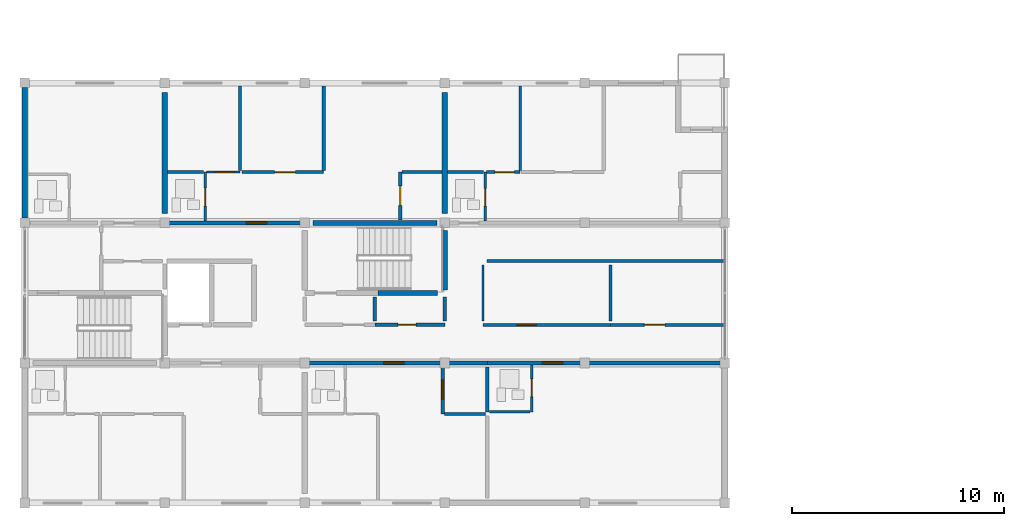
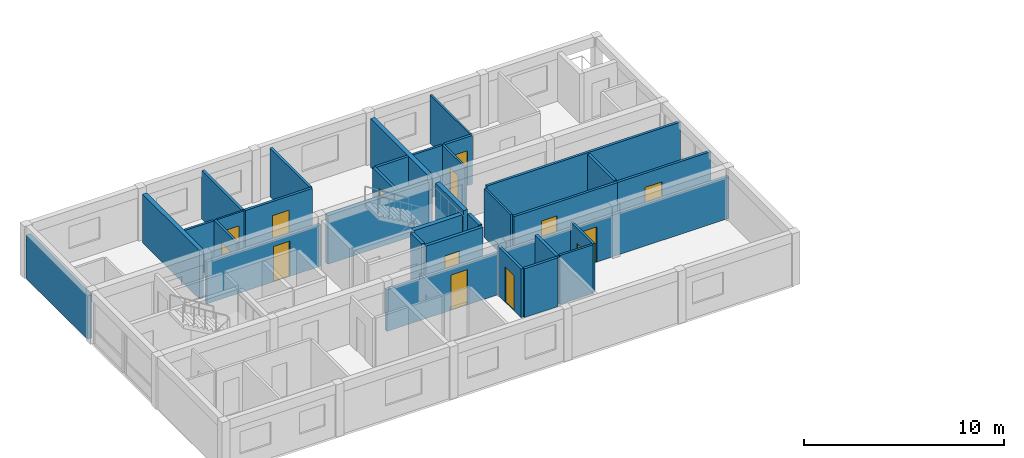
# One storey, part 22 of 34: 34 walls, 14 doors, 14 openings.
"""IFC4 building model written with IfcOpenShell, lengths in metres."""

from ifc_helpers import new_model, si_unit, direction, frame, frame_2d, origin, place, context, subcontext, project, spatial, rectangle, extrude, material, layer, layer_set, type_object, element, fill, save


model = new_model("IFC4")

# Units and contexts
model_context = context("Model", 3, precision=1e-05, world=origin(), true_north=direction((0.0, 1.0)))
body_context = subcontext(model_context, "Body", "Model", "MODEL_VIEW")
ifc_project = project(units=[si_unit("LENGTHUNIT", "METRE"), si_unit("AREAUNIT", "SQUARE_METRE"), si_unit("VOLUMEUNIT", "CUBIC_METRE"), si_unit("PLANEANGLEUNIT", "RADIAN"), si_unit("MASSUNIT", "GRAM", prefix="KILO")], contexts=[model_context])

# Site, building, storey
site_placement = place(None, origin())
site = spatial("IfcSite", under=ifc_project, at=site_placement, CompositionType="ELEMENT")
building_placement = place(site_placement, origin())
building = spatial("IfcBuilding", under=site, at=building_placement, Name="Kernevlak Ridge Housing Community", CompositionType="ELEMENT")
storey_placement = place(building_placement, frame((0.0, 0.0, 40.39990234375)))
storey = spatial("IfcBuildingStorey", under=building, at=storey_placement, Name="L12", CompositionType="ELEMENT", Elevation=40.39990234375)

# Wall
ifc_material_1 = material(Name="Concrete block masonry M10", Category="masonry")
ifc_layer_1 = layer(ifc_material_1, 0.260009765625, Name="Concrete block masonry M10")
ifc_layer_set_1 = layer_set([ifc_layer_1], Name="Concrete block masonry M10")
wall_type_1 = type_object("IfcWallType", Name="EW-05", PredefinedType="STANDARD", material=ifc_layer_set_1)
wall_1_placement = place(storey_placement, frame((15.60009765625, 89.425048828125, 0.0), z_axis=(0.0, 0.0, 1.0), x_axis=(0.0, 1.0, 0.0)))
element("IfcWall", 1, at=wall_1_placement, inside=storey, type_object=wall_type_1, Name="Exterior wall EW-05 L12 202", PredefinedType="STANDARD", context=body_context, shape_type="SweptSolid", body=[
    extrude(rectangle(XDim=6.14990234375, YDim=0.260009765625, at=frame_2d((3.074951171875, 0.0))), origin(), (0.0, 0.0, 1.0), 2.650146484375),
])

# Wall, opening, door
ifc_layer_2 = layer(ifc_material_1, 0.175048828125, Name="Concrete block masonry M10")
ifc_layer_set_2 = layer_set([ifc_layer_2], Name="Concrete block masonry M10")
wall_type_2 = type_object("IfcWallType", Name="PW-02", PredefinedType="PARTITIONING", material=ifc_layer_set_2)
wall_2_placement = place(storey_placement, frame((32.10009765625, 84.39990234375, 0.0), z_axis=(0.0, 0.0, 1.0), x_axis=(1.0, 0.0, 0.0)))
wall_2 = element("IfcWall", 2, at=wall_2_placement, inside=storey, type_object=wall_type_2, Name="Interior wall PW-02 WAL-INT-L12-0768", PredefinedType="PARTITIONING", context=body_context, shape_type="SweptSolid", body=[
    extrude(rectangle(XDim=3.2998046875, YDim=0.175048828125, at=frame_2d((1.64990234375, 0.0))), origin(), (0.0, 0.0, 1.0), 2.97998046875),
])
opening_1_placement = place(wall_2_placement, frame((1.10009765625, 0.0, 0.0)))
opening_1 = element("IfcOpeningElement", 3, at=opening_1_placement, cuts=wall_2, Name="Opening D388", PredefinedType="OPENING", context=body_context, shape_type="SweptSolid", body=[
    extrude(rectangle(XDim=0.85009765625, YDim=2.0, at=frame_2d((0.425048828125, 1.0))), frame((0.0, 0.097412109375, 0.0), z_axis=(0.0, -1.0, 0.0), x_axis=(1.0, 0.0, 0.0)), (0.0, 0.0, 1.0), 0.195068359375),
])
ifc_material_2 = material(Name="Fire-rated sheet steel leaf", Category="steel")
door_type_1 = type_object("IfcDoorType", Name="DT-07", OperationType="NOTDEFINED", PredefinedType="DOOR", material=ifc_material_2)
door_1_placement = place(opening_1_placement, origin())
door_1 = element("IfcDoor", 4, at=door_1_placement, inside=storey, type_object=door_type_1, Name="Block A Cleaner store door D388", OperationType="SINGLE_SWING_RIGHT", OverallHeight=2.0, OverallWidth=0.85009765625, PredefinedType="DOOR", context=body_context, shape_type="SweptSolid", body=[
    extrude(rectangle(XDim=0.85009765625, YDim=2.0, at=frame_2d((0.425048828125, 1.0))), frame((0.0, 0.02490234375, 0.0), z_axis=(0.0, -1.0, 0.0), x_axis=(1.0, 0.0, 0.0)), (0.0, 0.0, 1.0), 0.050048828125),
])
fill(opening_1, door_1)

# Walls
for number, where, z_axis, x_axis, name in (
    (5, (32.10009765625, 84.580078125, 0.0), (0.0, 0.0, 1.0), (0.0, 1.0, 0.0), "Interior wall PW-02 WAL-INT-L12-0770"),
    (6, (35.39990234375, 84.580078125, 0.0), (0.0, 0.0, 1.0), (0.0, 1.0, 0.0), "Interior wall PW-02 WAL-INT-L12-0771"),
):
    element("IfcWall", number, at=place(storey_placement, frame(where, z_axis=z_axis, x_axis=x_axis)), inside=storey, type_object=wall_type_2, Name=name, PredefinedType="PARTITIONING", context=body_context, shape_type="SweptSolid", body=[
        extrude(rectangle(XDim=1.139892578125, YDim=0.175048828125, at=frame_2d((0.56982421875, 0.0))), origin(), (0.0, 0.0, 1.0), 2.97998046875),
    ])

# Wall, opening, door
wall_3_placement = place(storey_placement, frame((28.800048828125, 82.60009765625, 0.0), z_axis=(0.0, 0.0, 1.0), x_axis=(1.0, 0.0, 0.0)))
wall_3 = element("IfcWall", 7, at=wall_3_placement, inside=storey, type_object=wall_type_2, Name="Interior wall PW-02 WAL-INT-L12-0786", PredefinedType="PARTITIONING", context=body_context, shape_type="SweptSolid", body=[
    extrude(rectangle(XDim=8.599853515625, YDim=0.175048828125, at=frame_2d((4.2998046875, 0.0))), origin(), (0.0, 0.0, 1.0), 2.550048828125),
])
opening_2_placement = place(wall_3_placement, frame((3.72509765625, 0.0, 0.0)))
opening_2 = element("IfcOpeningElement", 8, at=opening_2_placement, cuts=wall_3, Name="Opening D396", PredefinedType="OPENING", context=body_context, shape_type="SweptSolid", body=[
    extrude(rectangle(XDim=0.949951171875, YDim=2.159912109375, at=frame_2d((0.47509765625, 1.080078125))), frame((0.0, 0.097412109375, 0.0), z_axis=(0.0, -1.0, 0.0), x_axis=(1.0, 0.0, 0.0)), (0.0, 0.0, 1.0), 0.195068359375),
])
ifc_material_3 = material(Name="Hardwood timber solid-core fire leaf", Category="wood")
door_type_2 = type_object("IfcDoorType", Name="DT-02", OperationType="NOTDEFINED", PredefinedType="DOOR", material=ifc_material_3)
door_2_placement = place(opening_2_placement, origin())
door_2 = element("IfcDoor", 9, at=door_2_placement, inside=storey, type_object=door_type_2, Name="Flat A1212 entrance fire door D396", OperationType="SINGLE_SWING_RIGHT", OverallHeight=2.159912109375, OverallWidth=0.949951171875, PredefinedType="DOOR", context=body_context, shape_type="SweptSolid", body=[
    extrude(rectangle(XDim=0.949951171875, YDim=2.159912109375, at=frame_2d((0.47509765625, 1.080078125))), frame((0.0, 0.02490234375, 0.0), z_axis=(0.0, -1.0, 0.0), x_axis=(1.0, 0.0, 0.0)), (0.0, 0.0, 1.0), 0.050048828125),
])
fill(opening_2, door_2)

# Wall
wall_4_placement = place(storey_placement, frame((37.39990234375, 82.419921875, 0.0), z_axis=(0.0, 0.0, 1.0), x_axis=(0.0, -1.0, 0.0)))
element("IfcWall", 10, at=wall_4_placement, inside=storey, type_object=wall_type_2, Name="Interior wall PW-02 WAL-INT-L12-0793", PredefinedType="PARTITIONING", context=body_context, shape_type="SweptSolid", body=[
    extrude(rectangle(XDim=2.13232421875, YDim=0.175048828125, at=frame_2d((1.066162109375, 0.0))), origin(), (0.0, 0.0, 1.0), 2.97998046875),
])

# Wall, opening, door
wall_5_placement = place(storey_placement, frame((37.39990234375, 82.60009765625, 0.0), z_axis=(0.0, 0.0, 1.0), x_axis=(1.0, 0.0, 0.0)))
wall_5 = element("IfcWall", 11, at=wall_5_placement, inside=storey, type_object=wall_type_2, Name="Interior wall PW-02 WAL-INT-L12-0794", PredefinedType="PARTITIONING", context=body_context, shape_type="SweptSolid", body=[
    extrude(rectangle(XDim=11.2001953125, YDim=0.175048828125, at=frame_2d((5.60009765625, 0.0))), origin(), (0.0, 0.0, 1.0), 2.550048828125),
])
opening_3_placement = place(wall_5_placement, frame((2.60009765625, 0.0, 0.0)))
opening_3 = element("IfcOpeningElement", 12, at=opening_3_placement, cuts=wall_5, Name="Opening D400", PredefinedType="OPENING", context=body_context, shape_type="SweptSolid", body=[
    extrude(rectangle(XDim=0.949951171875, YDim=2.159912109375, at=frame_2d((0.47509765625, 1.080078125))), frame((0.0, 0.097412109375, 0.0), z_axis=(0.0, -1.0, 0.0), x_axis=(1.0, 0.0, 0.0)), (0.0, 0.0, 1.0), 0.195068359375),
])
door_3_placement = place(opening_3_placement, origin())
door_3 = element("IfcDoor", 13, at=door_3_placement, inside=storey, type_object=door_type_2, Name="Flat A1213 entrance fire door D400", OperationType="SINGLE_SWING_RIGHT", OverallHeight=2.159912109375, OverallWidth=0.949951171875, PredefinedType="DOOR", context=body_context, shape_type="SweptSolid", body=[
    extrude(rectangle(XDim=0.949951171875, YDim=2.159912109375, at=frame_2d((0.47509765625, 1.080078125))), frame((0.0, 0.02490234375, 0.0), z_axis=(0.0, -1.0, 0.0), x_axis=(1.0, 0.0, 0.0)), (0.0, 0.0, 1.0), 0.050048828125),
])
fill(opening_3, door_3)

wall_6_placement = place(storey_placement, frame((22.199951171875, 89.199951171875, 0.0), z_axis=(0.0, 0.0, 1.0), x_axis=(1.0, 0.0, 0.0)))
wall_6 = element("IfcWall", 14, at=wall_6_placement, inside=storey, type_object=wall_type_2, Name="Interior wall PW-02 WAL-INT-L12-0801", PredefinedType="PARTITIONING", context=body_context, shape_type="SweptSolid", body=[
    extrude(rectangle(XDim=6.60009765625, YDim=0.175048828125, at=frame_2d((3.300048828125, 0.0))), origin(), (0.0, 0.0, 1.0), 2.550048828125),
])
opening_4_placement = place(wall_6_placement, frame((3.85009765625, 0.0, 0.0)))
opening_4 = element("IfcOpeningElement", 15, at=opening_4_placement, cuts=wall_6, Name="Opening D404", PredefinedType="OPENING", context=body_context, shape_type="SweptSolid", body=[
    extrude(rectangle(XDim=0.949951171875, YDim=2.159912109375, at=frame_2d((0.47509765625, 1.080078125))), frame((0.0, 0.097412109375, 0.0), z_axis=(0.0, -1.0, 0.0), x_axis=(1.0, 0.0, 0.0)), (0.0, 0.0, 1.0), 0.195068359375),
])
door_4_placement = place(opening_4_placement, origin())
door_4 = element("IfcDoor", 16, at=door_4_placement, inside=storey, type_object=door_type_2, Name="Flat A1222 entrance fire door D404", OperationType="SINGLE_SWING_RIGHT", OverallHeight=2.159912109375, OverallWidth=0.949951171875, PredefinedType="DOOR", context=body_context, shape_type="SweptSolid", body=[
    extrude(rectangle(XDim=0.949951171875, YDim=2.159912109375, at=frame_2d((0.47509765625, 1.080078125))), frame((0.0, 0.02490234375, 0.0), z_axis=(0.0, -1.0, 0.0), x_axis=(1.0, 0.0, 0.0)), (0.0, 0.0, 1.0), 0.050048828125),
])
fill(opening_4, door_4)

ifc_layer_3 = layer(ifc_material_1, 0.14501953125, Name="Concrete block masonry M10")
ifc_layer_set_3 = layer_set([ifc_layer_3], Name="Concrete block masonry M10")
wall_type_3 = type_object("IfcWallType", Name="PW-03", PredefinedType="PARTITIONING", material=ifc_layer_set_3)
wall_7_placement = place(storey_placement, frame((37.199951171875, 84.39990234375, 0.0), z_axis=(0.0, 0.0, 1.0), x_axis=(1.0, 0.0, 0.0)))
wall_7 = element("IfcWall", 17, at=wall_7_placement, inside=storey, type_object=wall_type_3, Name="Interior wall PW-03 WAL-INT-L12-0772", PredefinedType="PARTITIONING", context=body_context, shape_type="SweptSolid", body=[
    extrude(rectangle(XDim=6.0, YDim=0.14501953125, at=frame_2d((3.0, 0.0))), origin(), (0.0, 0.0, 1.0), 2.97998046875),
])
opening_5_placement = place(wall_7_placement, frame((1.60009765625, 0.0, 0.0)))
opening_5 = element("IfcOpeningElement", 18, at=opening_5_placement, cuts=wall_7, Name="Opening D389", PredefinedType="OPENING", context=body_context, shape_type="SweptSolid", body=[
    extrude(rectangle(XDim=0.89990234375, YDim=2.159912109375, at=frame_2d((0.449951171875, 1.080078125))), frame((0.0, 0.08251953125, 0.0), z_axis=(0.0, -1.0, 0.0), x_axis=(1.0, 0.0, 0.0)), (0.0, 0.0, 1.0), 0.1650390625),
])
ifc_material_4 = material(Name="Hardwood timber leaf", Category="wood")
door_type_3 = type_object("IfcDoorType", Name="DT-22", OperationType="NOTDEFINED", PredefinedType="DOOR", material=ifc_material_4)
door_5_placement = place(opening_5_placement, origin())
door_5 = element("IfcDoor", 19, at=door_5_placement, inside=storey, type_object=door_type_3, Name="Block A Laundry room door D389", OperationType="SINGLE_SWING_LEFT", OverallHeight=2.159912109375, OverallWidth=0.89990234375, PredefinedType="DOOR", context=body_context, shape_type="SweptSolid", body=[
    extrude(rectangle(XDim=0.89990234375, YDim=2.159912109375, at=frame_2d((0.449951171875, 1.080078125))), frame((0.0, 0.02490234375, 0.0), z_axis=(0.0, -1.0, 0.0), x_axis=(1.0, 0.0, 0.0)), (0.0, 0.0, 1.0), 0.050048828125),
])
fill(opening_5, door_5)

wall_8_placement = place(storey_placement, frame((43.199951171875, 84.39990234375, 0.0), z_axis=(0.0, 0.0, 1.0), x_axis=(1.0, 0.0, 0.0)))
wall_8 = element("IfcWall", 20, at=wall_8_placement, inside=storey, type_object=wall_type_3, Name="Interior wall PW-03 WAL-INT-L12-0773", PredefinedType="PARTITIONING", context=body_context, shape_type="SweptSolid", body=[
    extrude(rectangle(XDim=5.400146484375, YDim=0.14501953125, at=frame_2d((2.7001953125, 0.0))), origin(), (0.0, 0.0, 1.0), 2.97998046875),
])
opening_6_placement = place(wall_8_placement, frame((1.60009765625, 0.0, 0.0)))
opening_6 = element("IfcOpeningElement", 21, at=opening_6_placement, cuts=wall_8, Name="Opening D390", PredefinedType="OPENING", context=body_context, shape_type="SweptSolid", body=[
    extrude(rectangle(XDim=0.97998046875, YDim=2.1201171875, at=frame_2d((0.489990234375, 1.06005859375))), frame((0.0, 0.08251953125, 0.0), z_axis=(0.0, -1.0, 0.0), x_axis=(1.0, 0.0, 0.0)), (0.0, 0.0, 1.0), 0.1650390625),
])
door_type_4 = type_object("IfcDoorType", Name="DT-24", OperationType="NOTDEFINED", PredefinedType="DOOR", material=ifc_material_4)
door_6_placement = place(opening_6_placement, origin())
door_6 = element("IfcDoor", 22, at=door_6_placement, inside=storey, type_object=door_type_4, Name="Block A Study room door D390", OperationType="SINGLE_SWING_RIGHT", OverallHeight=2.1201171875, OverallWidth=0.97998046875, PredefinedType="DOOR", context=body_context, shape_type="SweptSolid", body=[
    extrude(rectangle(XDim=0.97998046875, YDim=2.1201171875, at=frame_2d((0.489990234375, 1.06005859375))), frame((0.0, 0.02490234375, 0.0), z_axis=(0.0, -1.0, 0.0), x_axis=(1.0, 0.0, 0.0)), (0.0, 0.0, 1.0), 0.050048828125),
])
fill(opening_6, door_6)

# Walls
wall_9_placement = place(storey_placement, frame((43.199951171875, 84.580078125, 0.0), z_axis=(0.0, 0.0, 1.0), x_axis=(0.0, 1.0, 0.0)))
element("IfcWall", 23, at=wall_9_placement, inside=storey, type_object=wall_type_3, Name="Interior wall PW-03 WAL-INT-L12-0774", PredefinedType="PARTITIONING", context=body_context, shape_type="SweptSolid", body=[
    extrude(rectangle(XDim=2.639892578125, YDim=0.14501953125, at=frame_2d((1.31982421875, 0.0))), origin(), (0.0, 0.0, 1.0), 2.97998046875),
])
wall_10_placement = place(storey_placement, frame((37.3798828125, 87.39990234375, 0.0), z_axis=(0.0, 0.0, 1.0), x_axis=(1.0, 0.0, 0.0)))
element("IfcWall", 24, at=wall_10_placement, inside=storey, type_object=wall_type_3, Name="Interior wall PW-03 WAL-INT-L12-0775", PredefinedType="PARTITIONING", context=body_context, shape_type="SweptSolid", body=[
    extrude(rectangle(XDim=11.2001953125, YDim=0.14501953125, at=frame_2d((5.60009765625, 0.0))), origin(), (0.0, 0.0, 1.0), 2.97998046875),
])
wall_11_placement = place(storey_placement, frame((25.75, 91.679931640625, 0.0), z_axis=(0.0, 0.0, 1.0), x_axis=(0.0, 1.0, 0.0)))
element("IfcWall", 25, at=wall_11_placement, inside=storey, type_object=wall_type_3, Name="Interior wall PW-03 WAL-INT-L12-0807", PredefinedType="PARTITIONING", context=body_context, shape_type="SweptSolid", body=[
    extrude(rectangle(XDim=3.97998046875, YDim=0.14501953125, at=frame_2d((1.989990234375, 0.0))), origin(), (0.0, 0.0, 1.0), 2.97998046875),
])

# Wall, opening, door
wall_12_placement = place(storey_placement, frame((25.83251953125, 91.60009765625, 0.0), z_axis=(0.0, 0.0, 1.0), x_axis=(1.0, 0.0, 0.0)))
wall_12 = element("IfcWall", 26, at=wall_12_placement, inside=storey, type_object=wall_type_3, Name="Interior wall PW-03 WAL-INT-L12-0808", PredefinedType="PARTITIONING", context=body_context, shape_type="SweptSolid", body=[
    extrude(rectangle(XDim=3.859375, YDim=0.14501953125, at=frame_2d((1.9296875, 0.0))), origin(), (0.0, 0.0, 1.0), 2.97998046875),
])
opening_7_placement = place(wall_12_placement, frame((1.5458984375, 0.0, 0.0)))
opening_7 = element("IfcOpeningElement", 27, at=opening_7_placement, cuts=wall_12, Name="Opening D408", PredefinedType="OPENING", context=body_context, shape_type="SweptSolid", body=[
    extrude(rectangle(XDim=0.97998046875, YDim=2.1201171875, at=frame_2d((0.489990234375, 1.06005859375))), frame((0.0, 0.08251953125, 0.0), z_axis=(0.0, -1.0, 0.0), x_axis=(1.0, 0.0, 0.0)), (0.0, 0.0, 1.0), 0.1650390625),
])
door_7_placement = place(opening_7_placement, origin())
door_7 = element("IfcDoor", 28, at=door_7_placement, inside=storey, type_object=door_type_4, Name="Flat A1222 bedroom door D408", OperationType="SINGLE_SWING_RIGHT", OverallHeight=2.1201171875, OverallWidth=0.97998046875, PredefinedType="DOOR", context=body_context, shape_type="SweptSolid", body=[
    extrude(rectangle(XDim=0.97998046875, YDim=2.1201171875, at=frame_2d((0.489990234375, 1.06005859375))), frame((0.0, 0.02490234375, 0.0), z_axis=(0.0, -1.0, 0.0), x_axis=(1.0, 0.0, 0.0)), (0.0, 0.0, 1.0), 0.050048828125),
])
fill(opening_7, door_7)

# Wall
wall_13_placement = place(storey_placement, frame((29.69189453125, 91.6826171875, 0.0), z_axis=(0.0, 0.0, 1.0), x_axis=(0.0, 1.0, 0.0)))
element("IfcWall", 29, at=wall_13_placement, inside=storey, type_object=wall_type_3, Name="Interior wall PW-03 WAL-INT-L12-0809", PredefinedType="PARTITIONING", context=body_context, shape_type="SweptSolid", body=[
    extrude(rectangle(XDim=3.977294921875, YDim=0.14501953125, at=frame_2d((1.98876953125, 0.0))), origin(), (0.0, 0.0, 1.0), 2.97998046875),
])

# Wall, opening, door
wall_14_placement = place(storey_placement, frame((37.37255859375, 91.60009765625, 0.0), z_axis=(0.0, 0.0, 1.0), x_axis=(1.0, 0.0, 0.0)))
wall_14 = element("IfcWall", 30, at=wall_14_placement, inside=storey, type_object=wall_type_3, Name="Interior wall PW-03 WAL-INT-L12-0815", PredefinedType="PARTITIONING", context=body_context, shape_type="SweptSolid", body=[
    extrude(rectangle(XDim=1.577392578125, YDim=0.14501953125, at=frame_2d((0.78857421875, 0.0))), origin(), (0.0, 0.0, 1.0), 2.97998046875),
])
opening_8_placement = place(wall_14_placement, frame((0.39990234375, 0.0, 0.0)))
opening_8 = element("IfcOpeningElement", 31, at=opening_8_placement, cuts=wall_14, Name="Opening D412", PredefinedType="OPENING", context=body_context, shape_type="SweptSolid", body=[
    extrude(rectangle(XDim=0.909912109375, YDim=2.139892578125, at=frame_2d((0.455078125, 1.06982421875))), frame((0.0, 0.08251953125, 0.0), z_axis=(0.0, -1.0, 0.0), x_axis=(1.0, 0.0, 0.0)), (0.0, 0.0, 1.0), 0.1650390625),
])
door_type_5 = type_object("IfcDoorType", Name="DT-31", OperationType="NOTDEFINED", PredefinedType="DOOR", material=ifc_material_4)
door_8_placement = place(opening_8_placement, origin())
door_8 = element("IfcDoor", 32, at=door_8_placement, inside=storey, type_object=door_type_5, Name="Flat A1223 bedroom door D412", OperationType="SINGLE_SWING_RIGHT", OverallHeight=2.139892578125, OverallWidth=0.909912109375, PredefinedType="DOOR", context=body_context, shape_type="SweptSolid", body=[
    extrude(rectangle(XDim=0.909912109375, YDim=2.139892578125, at=frame_2d((0.455078125, 1.06982421875))), frame((0.0, 0.02490234375, 0.0), z_axis=(0.0, -1.0, 0.0), x_axis=(1.0, 0.0, 0.0)), (0.0, 0.0, 1.0), 0.050048828125),
])
fill(opening_8, door_8)

ifc_material_5 = material(Name="Gypsum plasterboard EN 520", Category="gypsum")
ifc_layer_4 = layer(ifc_material_5, 0.125, Name="Gypsum plasterboard EN 520")
ifc_layer_set_4 = layer_set([ifc_layer_4], Name="Gypsum plasterboard EN 520")
wall_type_4 = type_object("IfcWallType", Name="PW-04", PredefinedType="PARTITIONING", material=ifc_layer_set_4)
wall_15_placement = place(storey_placement, frame((39.5, 82.50244140625, 0.0), z_axis=(0.0, 0.0, 1.0), x_axis=(0.0, -1.0, 0.0)))
wall_15 = element("IfcWall", 33, at=wall_15_placement, inside=storey, type_object=wall_type_4, Name="Interior wall PW-04 WAL-INT-L12-0795", PredefinedType="PARTITIONING", context=body_context, shape_type="SweptSolid", body=[
    extrude(rectangle(XDim=2.202392578125, YDim=0.125, at=frame_2d((1.10107421875, 0.0))), origin(), (0.0, 0.0, 1.0), 2.97998046875),
])
opening_9_placement = place(wall_15_placement, frame((0.64990234375, 0.0, 0.0)))
opening_9 = element("IfcOpeningElement", 34, at=opening_9_placement, cuts=wall_15, Name="Opening D401", PredefinedType="OPENING", context=body_context, shape_type="SweptSolid", body=[
    extrude(rectangle(XDim=0.840087890625, YDim=2.06005859375, at=frame_2d((0.419921875, 1.030029296875))), frame((0.0, 0.072509765625, 0.0), z_axis=(0.0, -1.0, 0.0), x_axis=(1.0, 0.0, 0.0)), (0.0, 0.0, 1.0), 0.14501953125),
])
ifc_material_6 = material(Name="Hardwood timber moisture-resistant leaf", Category="wood")
door_type_6 = type_object("IfcDoorType", Name="DT-27", OperationType="NOTDEFINED", PredefinedType="DOOR", material=ifc_material_6)
door_9_placement = place(opening_9_placement, origin())
door_9 = element("IfcDoor", 35, at=door_9_placement, inside=storey, type_object=door_type_6, Name="Flat A1213 bathroom door D401", OperationType="SINGLE_SWING_LEFT", OverallHeight=2.06005859375, OverallWidth=0.840087890625, PredefinedType="DOOR", context=body_context, shape_type="SweptSolid", body=[
    extrude(rectangle(XDim=0.840087890625, YDim=2.06005859375, at=frame_2d((0.419921875, 1.030029296875))), frame((0.0, 0.02490234375, 0.0), z_axis=(0.0, -1.0, 0.0), x_axis=(1.0, 0.0, 0.0)), (0.0, 0.0, 1.0), 0.050048828125),
])
fill(opening_9, door_9)

# Wall
wall_16_placement = place(storey_placement, frame((37.49755859375, 80.300048828125, 0.0), z_axis=(0.0, 0.0, 1.0), x_axis=(1.0, 0.0, 0.0)))
element("IfcWall", 36, at=wall_16_placement, inside=storey, type_object=wall_type_4, Name="Interior wall PW-04 WAL-INT-L12-0796", PredefinedType="PARTITIONING", context=body_context, shape_type="SweptSolid", body=[
    extrude(rectangle(XDim=1.92236328125, YDim=0.125, at=frame_2d((0.961181640625, 0.0))), origin(), (0.0, 0.0, 1.0), 2.97998046875),
])

# Wall, opening, door
wall_17_placement = place(storey_placement, frame((24.10009765625, 89.297607421875, 0.0), z_axis=(0.0, 0.0, 1.0), x_axis=(0.0, 1.0, 0.0)))
wall_17 = element("IfcWall", 37, at=wall_17_placement, inside=storey, type_object=wall_type_4, Name="Interior wall PW-04 WAL-INT-L12-0802", PredefinedType="PARTITIONING", context=body_context, shape_type="SweptSolid", body=[
    extrude(rectangle(XDim=2.302490234375, YDim=0.125, at=frame_2d((1.1513671875, 0.0))), origin(), (0.0, 0.0, 1.0), 2.97998046875),
])
opening_10_placement = place(wall_17_placement, frame((0.699951171875, 0.0, 0.0)))
opening_10 = element("IfcOpeningElement", 38, at=opening_10_placement, cuts=wall_17, Name="Opening D405", PredefinedType="OPENING", context=body_context, shape_type="SweptSolid", body=[
    extrude(rectangle(XDim=0.840087890625, YDim=2.06005859375, at=frame_2d((0.419921875, 1.030029296875))), frame((0.0, 0.072509765625, 0.0), z_axis=(0.0, -1.0, 0.0), x_axis=(1.0, 0.0, 0.0)), (0.0, 0.0, 1.0), 0.14501953125),
])
door_10_placement = place(opening_10_placement, origin())
door_10 = element("IfcDoor", 39, at=door_10_placement, inside=storey, type_object=door_type_6, Name="Flat A1222 bathroom door D405", OperationType="SINGLE_SWING_LEFT", OverallHeight=2.06005859375, OverallWidth=0.840087890625, PredefinedType="DOOR", context=body_context, shape_type="SweptSolid", body=[
    extrude(rectangle(XDim=0.840087890625, YDim=2.06005859375, at=frame_2d((0.419921875, 1.030029296875))), frame((0.0, 0.02490234375, 0.0), z_axis=(0.0, -1.0, 0.0), x_axis=(1.0, 0.0, 0.0)), (0.0, 0.0, 1.0), 0.050048828125),
])
fill(opening_10, door_10)

# Wall
wall_18_placement = place(storey_placement, frame((22.3349609375, 91.60009765625, 0.0), z_axis=(0.0, 0.0, 1.0), x_axis=(1.0, 0.0, 0.0)))
element("IfcWall", 40, at=wall_18_placement, inside=storey, type_object=wall_type_4, Name="Interior wall PW-04 WAL-INT-L12-0803", PredefinedType="PARTITIONING", context=body_context, shape_type="SweptSolid", body=[
    extrude(rectangle(XDim=1.68505859375, YDim=0.125, at=frame_2d((0.842529296875, 0.0))), origin(), (0.0, 0.0, 1.0), 2.97998046875),
])

# Wall, opening, door
wall_19_placement = place(storey_placement, frame((37.300048828125, 89.297607421875, 0.0), z_axis=(0.0, 0.0, 1.0), x_axis=(0.0, 1.0, 0.0)))
wall_19 = element("IfcWall", 41, at=wall_19_placement, inside=storey, type_object=wall_type_4, Name="Interior wall PW-04 WAL-INT-L12-0811", PredefinedType="PARTITIONING", context=body_context, shape_type="SweptSolid", body=[
    extrude(rectangle(XDim=2.302490234375, YDim=0.125, at=frame_2d((1.1513671875, 0.0))), origin(), (0.0, 0.0, 1.0), 2.97998046875),
])
opening_11_placement = place(wall_19_placement, frame((0.699951171875, 0.0, 0.0)))
opening_11 = element("IfcOpeningElement", 42, at=opening_11_placement, cuts=wall_19, Name="Opening D410", PredefinedType="OPENING", context=body_context, shape_type="SweptSolid", body=[
    extrude(rectangle(XDim=0.820068359375, YDim=2.050048828125, at=frame_2d((0.41015625, 1.02490234375))), frame((0.0, 0.072509765625, 0.0), z_axis=(0.0, -1.0, 0.0), x_axis=(1.0, 0.0, 0.0)), (0.0, 0.0, 1.0), 0.14501953125),
])
door_type_7 = type_object("IfcDoorType", Name="DT-30", OperationType="NOTDEFINED", PredefinedType="DOOR", material=ifc_material_6)
door_11_placement = place(opening_11_placement, origin())
door_11 = element("IfcDoor", 43, at=door_11_placement, inside=storey, type_object=door_type_7, Name="Flat A1223 bathroom door D410", OperationType="SINGLE_SWING_RIGHT", OverallHeight=2.050048828125, OverallWidth=0.820068359375, PredefinedType="DOOR", context=body_context, shape_type="SweptSolid", body=[
    extrude(rectangle(XDim=0.820068359375, YDim=2.050048828125, at=frame_2d((0.41015625, 1.02490234375))), frame((0.0, 0.02490234375, 0.0), z_axis=(0.0, -1.0, 0.0), x_axis=(1.0, 0.0, 0.0)), (0.0, 0.0, 1.0), 0.050048828125),
])
fill(opening_11, door_11)

# Wall
wall_20_placement = place(storey_placement, frame((35.534912109375, 91.60009765625, 0.0), z_axis=(0.0, 0.0, 1.0), x_axis=(1.0, 0.0, 0.0)))
element("IfcWall", 44, at=wall_20_placement, inside=storey, type_object=wall_type_4, Name="Interior wall PW-04 WAL-INT-L12-0812", PredefinedType="PARTITIONING", context=body_context, shape_type="SweptSolid", body=[
    extrude(rectangle(XDim=1.68505859375, YDim=0.125, at=frame_2d((0.842529296875, 0.0))), origin(), (0.0, 0.0, 1.0), 2.97998046875),
])

# Wall, opening, door
ifc_layer_5 = layer(ifc_material_5, 0.155029296875, Name="Gypsum plasterboard EN 520")
ifc_layer_set_5 = layer_set([ifc_layer_5], Name="Gypsum plasterboard EN 520")
wall_type_5 = type_object("IfcWallType", Name="PW-05", PredefinedType="PARTITIONING", material=ifc_layer_set_5)
wall_21_placement = place(storey_placement, frame((35.300048828125, 82.50244140625, 0.0), z_axis=(0.0, 0.0, 1.0), x_axis=(0.0, -1.0, 0.0)))
wall_21 = element("IfcWall", 45, at=wall_21_placement, inside=storey, type_object=wall_type_5, Name="Interior wall PW-05 WAL-INT-L12-0789", PredefinedType="PARTITIONING", context=body_context, shape_type="SweptSolid", body=[
    extrude(rectangle(XDim=2.302490234375, YDim=0.155029296875, at=frame_2d((1.1513671875, 0.0))), origin(), (0.0, 0.0, 1.0), 2.97998046875),
])
opening_12_placement = place(wall_21_placement, frame((0.699951171875, 0.0, 0.0)))
opening_12 = element("IfcOpeningElement", 46, at=opening_12_placement, cuts=wall_21, Name="Opening D398", PredefinedType="OPENING", context=body_context, shape_type="SweptSolid", body=[
    extrude(rectangle(XDim=0.89990234375, YDim=2.159912109375, at=frame_2d((0.449951171875, 1.080078125))), frame((0.0, 0.08740234375, 0.0), z_axis=(0.0, -1.0, 0.0), x_axis=(1.0, 0.0, 0.0)), (0.0, 0.0, 1.0), 0.175048828125),
])
door_12_placement = place(opening_12_placement, origin())
door_12 = element("IfcDoor", 47, at=door_12_placement, inside=storey, type_object=door_type_3, Name="Flat A1212 kitchen door D398", OperationType="SINGLE_SWING_RIGHT", OverallHeight=2.159912109375, OverallWidth=0.89990234375, PredefinedType="DOOR", context=body_context, shape_type="SweptSolid", body=[
    extrude(rectangle(XDim=0.89990234375, YDim=2.159912109375, at=frame_2d((0.449951171875, 1.080078125))), frame((0.0, 0.02490234375, 0.0), z_axis=(0.0, -1.0, 0.0), x_axis=(1.0, 0.0, 0.0)), (0.0, 0.0, 1.0), 0.050048828125),
])
fill(opening_12, door_12)

# Wall
wall_22_placement = place(storey_placement, frame((35.387451171875, 80.199951171875, 0.0), z_axis=(0.0, 0.0, 1.0), x_axis=(1.0, 0.0, 0.0)))
element("IfcWall", 48, at=wall_22_placement, inside=storey, type_object=wall_type_5, Name="Interior wall PW-05 WAL-INT-L12-0790", PredefinedType="PARTITIONING", context=body_context, shape_type="SweptSolid", body=[
    extrude(rectangle(XDim=1.9326171875, YDim=0.155029296875, at=frame_2d((0.96630859375, 0.0))), origin(), (0.0, 0.0, 1.0), 2.97998046875),
])

# Wall, opening, door
wall_23_placement = place(storey_placement, frame((33.300048828125, 89.3349609375, 0.0), z_axis=(0.0, 0.0, 1.0), x_axis=(0.0, 1.0, 0.0)))
wall_23 = element("IfcWall", 49, at=wall_23_placement, inside=storey, type_object=wall_type_5, Name="Interior wall PW-05 WAL-INT-L12-0804", PredefinedType="PARTITIONING", context=body_context, shape_type="SweptSolid", body=[
    extrude(rectangle(XDim=2.26513671875, YDim=0.155029296875, at=frame_2d((1.132568359375, 0.0))), origin(), (0.0, 0.0, 1.0), 2.97998046875),
])
opening_13_placement = place(wall_23_placement, frame((0.699951171875, 0.0, 0.0)))
opening_13 = element("IfcOpeningElement", 50, at=opening_13_placement, cuts=wall_23, Name="Opening D406", PredefinedType="OPENING", context=body_context, shape_type="SweptSolid", body=[
    extrude(rectangle(XDim=0.89990234375, YDim=2.10009765625, at=frame_2d((0.449951171875, 1.050048828125))), frame((0.0, 0.08740234375, 0.0), z_axis=(0.0, -1.0, 0.0), x_axis=(1.0, 0.0, 0.0)), (0.0, 0.0, 1.0), 0.175048828125),
])
door_type_8 = type_object("IfcDoorType", Name="DT-21", OperationType="NOTDEFINED", PredefinedType="DOOR", material=ifc_material_4)
door_13_placement = place(opening_13_placement, origin())
door_13 = element("IfcDoor", 51, at=door_13_placement, inside=storey, type_object=door_type_8, Name="Flat A1222 kitchen door D406", OperationType="SINGLE_SWING_RIGHT", OverallHeight=2.10009765625, OverallWidth=0.89990234375, PredefinedType="DOOR", context=body_context, shape_type="SweptSolid", body=[
    extrude(rectangle(XDim=0.89990234375, YDim=2.10009765625, at=frame_2d((0.449951171875, 1.050048828125))), frame((0.0, 0.02490234375, 0.0), z_axis=(0.0, -1.0, 0.0), x_axis=(1.0, 0.0, 0.0)), (0.0, 0.0, 1.0), 0.050048828125),
])
fill(opening_13, door_13)

# Walls
wall_24_placement = place(storey_placement, frame((33.387451171875, 91.60009765625, 0.0), z_axis=(0.0, 0.0, 1.0), x_axis=(1.0, 0.0, 0.0)))
element("IfcWall", 52, at=wall_24_placement, inside=storey, type_object=wall_type_5, Name="Interior wall PW-05 WAL-INT-L12-0805", PredefinedType="PARTITIONING", context=body_context, shape_type="SweptSolid", body=[
    extrude(rectangle(XDim=1.87744140625, YDim=0.155029296875, at=frame_2d((0.938720703125, 0.0))), origin(), (0.0, 0.0, 1.0), 2.97998046875),
])
ifc_layer_6 = layer(ifc_material_5, 0.10498046875, Name="Gypsum plasterboard EN 520")
ifc_layer_set_6 = layer_set([ifc_layer_6], Name="Gypsum plasterboard EN 520")
wall_type_6 = type_object("IfcWallType", Name="PW-06", PredefinedType="PARTITIONING", material=ifc_layer_set_6)
wall_25_placement = place(storey_placement, frame((37.199951171875, 84.580078125, 0.0), z_axis=(0.0, 0.0, 1.0), x_axis=(0.0, 1.0, 0.0)))
element("IfcWall", 53, at=wall_25_placement, inside=storey, type_object=wall_type_6, Name="Interior wall PW-06 WAL-INT-L12-0776", PredefinedType="PARTITIONING", context=body_context, shape_type="SweptSolid", body=[
    extrude(rectangle(XDim=2.639892578125, YDim=0.10498046875, at=frame_2d((1.31982421875, 0.0))), origin(), (0.0, 0.0, 1.0), 2.97998046875),
])

# Wall, opening, door
wall_26_placement = place(storey_placement, frame((24.172607421875, 91.60009765625, 0.0), z_axis=(0.0, 0.0, 1.0), x_axis=(1.0, 0.0, 0.0)))
wall_26 = element("IfcWall", 54, at=wall_26_placement, inside=storey, type_object=wall_type_6, Name="Interior wall PW-06 WAL-INT-L12-0806", PredefinedType="PARTITIONING", context=body_context, shape_type="SweptSolid", body=[
    extrude(rectangle(XDim=1.577392578125, YDim=0.10498046875, at=frame_2d((0.78857421875, 0.0))), origin(), (0.0, 0.0, 1.0), 2.97998046875),
])
opening_14_placement = place(wall_26_placement, frame((0.39990234375, 0.0, 0.0)))
opening_14 = element("IfcOpeningElement", 55, at=opening_14_placement, cuts=wall_26, Name="Opening D407", PredefinedType="OPENING", context=body_context, shape_type="SweptSolid", body=[
    extrude(rectangle(XDim=0.89990234375, YDim=2.159912109375, at=frame_2d((0.449951171875, 1.080078125))), frame((0.0, 0.0625, 0.0), z_axis=(0.0, -1.0, 0.0), x_axis=(1.0, 0.0, 0.0)), (0.0, 0.0, 1.0), 0.125),
])
door_14_placement = place(opening_14_placement, origin())
door_14 = element("IfcDoor", 56, at=door_14_placement, inside=storey, type_object=door_type_3, Name="Flat A1222 bedroom door D407", OperationType="SINGLE_SWING_LEFT", OverallHeight=2.159912109375, OverallWidth=0.89990234375, PredefinedType="DOOR", context=body_context, shape_type="SweptSolid", body=[
    extrude(rectangle(XDim=0.89990234375, YDim=2.159912109375, at=frame_2d((0.449951171875, 1.080078125))), frame((0.0, 0.02490234375, 0.0), z_axis=(0.0, -1.0, 0.0), x_axis=(1.0, 0.0, 0.0)), (0.0, 0.0, 1.0), 0.050048828125),
])
fill(opening_14, door_14)

# Walls
wall_27_placement = place(storey_placement, frame((38.949951171875, 91.6826171875, 0.0), z_axis=(0.0, 0.0, 1.0), x_axis=(0.0, 1.0, 0.0)))
element("IfcWall", 57, at=wall_27_placement, inside=storey, type_object=wall_type_6, Name="Interior wall PW-06 WAL-INT-L12-0816", PredefinedType="PARTITIONING", context=body_context, shape_type="SweptSolid", body=[
    extrude(rectangle(XDim=3.977294921875, YDim=0.10498046875, at=frame_2d((1.98876953125, 0.0))), origin(), (0.0, 0.0, 1.0), 2.97998046875),
])
ifc_material_7 = material(Name="Concrete C40/50", Category="concrete")
ifc_layer_7 = layer(ifc_material_7, 0.25, Name="Concrete C40/50")
ifc_layer_set_7 = layer_set([ifc_layer_7], Name="Concrete C40/50")
wall_type_7 = type_object("IfcWallType", Name="SW-03", PredefinedType="SHEAR", material=ifc_layer_set_7)
wall_28_placement = place(storey_placement, frame((29.179931640625, 89.199951171875, 0.0), z_axis=(0.0, 0.0, 1.0), x_axis=(1.0, 0.0, 0.0)))
element("IfcWall", 58, at=wall_28_placement, inside=storey, type_object=wall_type_7, Name="Shear wall SW-03 Block A L12 134", PredefinedType="SHEAR", context=body_context, shape_type="SweptSolid", body=[
    extrude(rectangle(XDim=5.840087890625, YDim=0.25, at=frame_2d((2.919921875, 0.0))), origin(), (0.0, 0.0, 1.0), 2.97998046875),
])
for number, where, z_axis, x_axis, name in (
    (59, (32.25, 85.89990234375, 0.0), (0.0, 0.0, 1.0), (1.0, 0.0, 0.0), "Shear wall SW-03 Block A L12 135"),
    (60, (35.39990234375, 86.050048828125, 0.0), (0.0, 0.0, 1.0), (0.0, 1.0, 0.0), "Shear wall SW-03 Block A L12 137"),
):
    element("IfcWall", number, at=place(storey_placement, frame(where, z_axis=z_axis, x_axis=x_axis)), inside=storey, type_object=wall_type_7, Name=name, PredefinedType="SHEAR", context=body_context, shape_type="SweptSolid", body=[
        extrude(rectangle(XDim=2.800048828125, YDim=0.25, at=frame_2d((1.39990234375, 0.0))), origin(), (0.0, 0.0, 1.0), 2.97998046875),
    ])
for number, where, z_axis, x_axis, name in (
    (61, (22.199951171875, 89.64990234375, 0.0), (0.0, 0.0, 1.0), (0.0, 1.0, 0.0), "Shear wall SW-03 Block A L12 139"),
    (62, (35.39990234375, 89.64990234375, 0.0), (0.0, 0.0, 1.0), (0.0, 1.0, 0.0), "Shear wall SW-03 Block A L12 140"),
):
    element("IfcWall", number, at=place(storey_placement, frame(where, z_axis=z_axis, x_axis=x_axis)), inside=storey, type_object=wall_type_7, Name=name, PredefinedType="SHEAR", context=body_context, shape_type="SweptSolid", body=[
        extrude(rectangle(XDim=5.7001953125, YDim=0.25, at=frame_2d((2.85009765625, 0.0))), origin(), (0.0, 0.0, 1.0), 2.97998046875),
    ])

save(model, "model.ifc")
